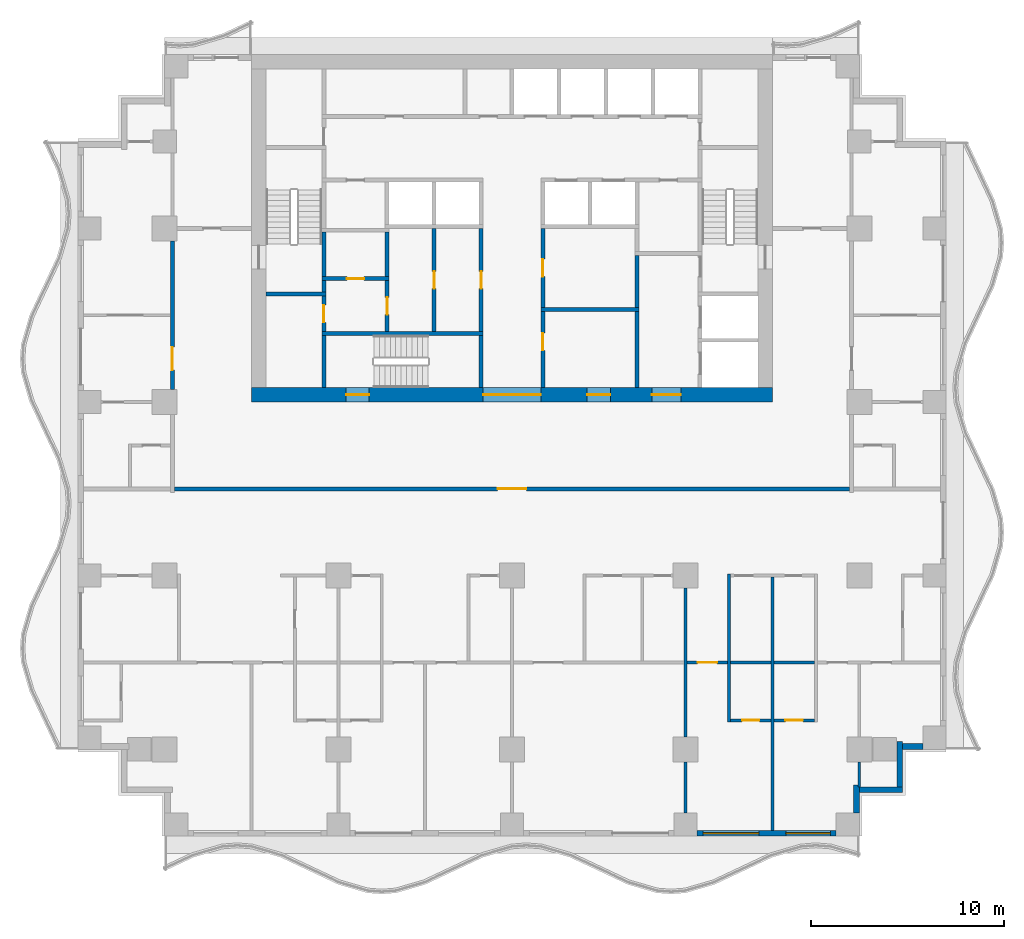
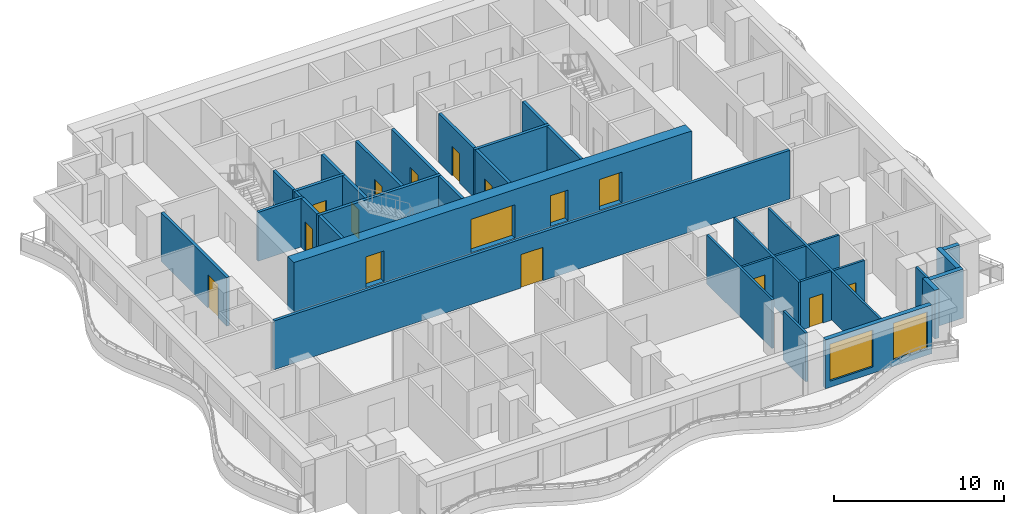
# One storey, part 3 of 10: 35 walls, 16 doors, 2 windows, 18 openings.
"""IFC4 building model written with IfcOpenShell, lengths in metres."""

from ifc_helpers import new_model, si_unit, direction, frame, frame_2d, origin, place, context, subcontext, project, spatial, rectangle, extrude, material, layer, layer_set, type_object, element, fill, save


model = new_model("IFC4")

# Units and contexts
model_context = context("Model", 3, precision=1e-05, world=origin(), true_north=direction((0.0, 1.0)))
body_context = subcontext(model_context, "Body", "Model", "MODEL_VIEW")
ifc_project = project(units=[si_unit("LENGTHUNIT", "METRE"), si_unit("AREAUNIT", "SQUARE_METRE"), si_unit("VOLUMEUNIT", "CUBIC_METRE"), si_unit("PLANEANGLEUNIT", "RADIAN"), si_unit("MASSUNIT", "GRAM", prefix="KILO")], contexts=[model_context])

# Site, building, storey
site_placement = place(None, origin())
site = spatial("IfcSite", under=ifc_project, at=site_placement, CompositionType="ELEMENT")
building_placement = place(site_placement, origin())
building = spatial("IfcBuilding", under=site, at=building_placement, Name="Orbiselva Terraces", CompositionType="ELEMENT")
storey_placement = place(building_placement, frame((0.0, 0.0, 128.8)))
storey = spatial("IfcBuildingStorey", under=building, at=storey_placement, Name="L32", CompositionType="ELEMENT", Elevation=128.8)

# Wall, openings, doors
ifc_material_1 = material(Name="Concrete C80/95", Category="concrete")
ifc_layer_1 = layer(ifc_material_1, 0.75)
ifc_layer_set_1 = layer_set([ifc_layer_1], Name="Concrete C80/95")
wall_type_1 = type_object("IfcWallType", Name="CORE WALL 750", PredefinedType="SHEAR", material=ifc_layer_set_1)
wall_1_placement = place(storey_placement, frame((-13.5, 4.875, -0.3), z_axis=(0.0, 0.0, 1.0), x_axis=(1.0, 0.0, 0.0)))
wall_1 = element("IfcWall", 1, at=wall_1_placement, inside=storey, type_object=wall_type_1, Name="Core wall L32 south", PredefinedType="SHEAR", context=body_context, shape_type="SweptSolid", body=[
    extrude(rectangle(XDim=27.0, YDim=0.75, at=frame_2d((13.5, 0.0))), origin(), (0.0, 0.0, 1.0), 3.8),
])
opening_1_placement = place(wall_1_placement, frame((12.0, 0.0, 0.3)))
opening_1 = element("IfcOpeningElement", 2, at=opening_1_placement, cuts=wall_1, Name="Opening DL3000", PredefinedType="OPENING", context=body_context, shape_type="SweptSolid", body=[
    extrude(rectangle(XDim=3.0, YDim=2.4, at=frame_2d((1.5, 1.2))), frame((0.0, 0.385, 0.0), z_axis=(0.0, -1.0, 0.0), x_axis=(1.0, 0.0, 0.0)), (0.0, 0.0, 1.0), 0.77),
])
opening_2_placement = place(wall_1_placement, frame((4.9, 0.0, 0.3)))
opening_2 = element("IfcOpeningElement", 3, at=opening_2_placement, cuts=wall_1, Name="Opening DS1200", PredefinedType="OPENING", context=body_context, shape_type="SweptSolid", body=[
    extrude(rectangle(XDim=1.2, YDim=2.2, at=frame_2d((0.6, 1.1))), frame((0.0, 0.385, 0.0), z_axis=(0.0, -1.0, 0.0), x_axis=(1.0, 0.0, 0.0)), (0.0, 0.0, 1.0), 0.77),
])
opening_3_placement = place(wall_1_placement, frame((20.75, 0.0, 0.3)))
opening_3 = element("IfcOpeningElement", 4, at=opening_3_placement, cuts=wall_1, Name="Opening DF1500", PredefinedType="OPENING", context=body_context, shape_type="SweptSolid", body=[
    extrude(rectangle(XDim=1.5, YDim=2.2, at=frame_2d((0.75, 1.1))), frame((0.0, 0.385, 0.0), z_axis=(0.0, -1.0, 0.0), x_axis=(1.0, 0.0, 0.0)), (0.0, 0.0, 1.0), 0.77),
])
opening_4_placement = place(wall_1_placement, frame((17.4, 0.0, 0.3)))
opening_4 = element("IfcOpeningElement", 5, at=opening_4_placement, cuts=wall_1, Name="Opening DV1200", PredefinedType="OPENING", context=body_context, shape_type="SweptSolid", body=[
    extrude(rectangle(XDim=1.2, YDim=2.2, at=frame_2d((0.6, 1.1))), frame((0.0, 0.385, 0.0), z_axis=(0.0, -1.0, 0.0), x_axis=(1.0, 0.0, 0.0)), (0.0, 0.0, 1.0), 0.77),
])
ifc_material_2 = material(Name="Steel fire door", Category="steel")
door_type_1 = type_object("IfcDoorType", Name="FFL DOOR 1500", OperationType="DOUBLE_DOOR_SINGLE_SWING", PredefinedType="DOOR", material=ifc_material_2)
door_1_placement = place(opening_3_placement, frame((1.5, 0.0, 0.0), z_axis=(0.0, 0.0, 1.0), x_axis=(-1.0, 0.0, 0.0)))
door_1 = element("IfcDoor", 6, at=door_1_placement, inside=storey, type_object=door_type_1, Name="L32 FIRE-FIGHTING LOBBY door", OperationType="DOUBLE_DOOR_SINGLE_SWING", OverallHeight=2.2, OverallWidth=1.5, PredefinedType="DOOR", context=body_context, shape_type="SweptSolid", body=[
    extrude(rectangle(XDim=1.5, YDim=2.2, at=frame_2d((0.75, 1.1))), frame((0.0, 0.025, 0.0), z_axis=(0.0, -1.0, 0.0), x_axis=(1.0, 0.0, 0.0)), (0.0, 0.0, 1.0), 0.05),
])
fill(opening_3, door_1)
door_type_2 = type_object("IfcDoorType", Name="LOBBY DOOR 3000", OperationType="DOUBLE_DOOR_SINGLE_SWING", PredefinedType="DOOR", material=ifc_material_2)
door_2_placement = place(opening_1_placement, frame((3.0, 0.0, 0.0), z_axis=(0.0, 0.0, 1.0), x_axis=(-1.0, 0.0, 0.0)))
door_2 = element("IfcDoor", 7, at=door_2_placement, inside=storey, type_object=door_type_2, Name="L32 LIFT LOBBY door", OperationType="DOUBLE_DOOR_SINGLE_SWING", OverallHeight=2.4, OverallWidth=3.0, PredefinedType="DOOR", context=body_context, shape_type="SweptSolid", body=[
    extrude(rectangle(XDim=3.0, YDim=2.4, at=frame_2d((1.5, 1.2))), frame((0.0, 0.025, 0.0), z_axis=(0.0, -1.0, 0.0), x_axis=(1.0, 0.0, 0.0)), (0.0, 0.0, 1.0), 0.05),
])
fill(opening_1, door_2)
door_type_3 = type_object("IfcDoorType", Name="SERVICE DOOR 1200", OperationType="NOTDEFINED", PredefinedType="DOOR", material=ifc_material_2)
door_3_placement = place(opening_4_placement, frame((1.2, 0.0, 0.0), z_axis=(0.0, 0.0, 1.0), x_axis=(-1.0, 0.0, 0.0)))
door_3 = element("IfcDoor", 8, at=door_3_placement, inside=storey, type_object=door_type_3, Name="L32 ELECTRICAL ROOM door", OperationType="SINGLE_SWING_RIGHT", OverallHeight=2.2, OverallWidth=1.2, PredefinedType="DOOR", context=body_context, shape_type="SweptSolid", body=[
    extrude(rectangle(XDim=1.2, YDim=2.2, at=frame_2d((0.6, 1.1))), frame((0.0, 0.025, 0.0), z_axis=(0.0, -1.0, 0.0), x_axis=(1.0, 0.0, 0.0)), (0.0, 0.0, 1.0), 0.05),
])
fill(opening_4, door_3)
door_type_4 = type_object("IfcDoorType", Name="STAIR DOOR 1200", OperationType="NOTDEFINED", PredefinedType="DOOR", material=ifc_material_2)
door_4_placement = place(opening_2_placement, frame((1.2, 0.0, 0.0), z_axis=(0.0, 0.0, 1.0), x_axis=(-1.0, 0.0, 0.0)))
door_4 = element("IfcDoor", 9, at=door_4_placement, inside=storey, type_object=door_type_4, Name="L32 EXIT STAIR S3 door", OperationType="SINGLE_SWING_LEFT", OverallHeight=2.2, OverallWidth=1.2, PredefinedType="DOOR", context=body_context, shape_type="SweptSolid", body=[
    extrude(rectangle(XDim=1.2, YDim=2.2, at=frame_2d((0.6, 1.1))), frame((0.0, 0.025, 0.0), z_axis=(0.0, -1.0, 0.0), x_axis=(1.0, 0.0, 0.0)), (0.0, 0.0, 1.0), 0.05),
])
fill(opening_2, door_4)

# Wall, opening, door
ifc_material_3 = material(Name="Masonry blockwork", Category="masonry")
ifc_layer_2 = layer(ifc_material_3, 0.2)
ifc_layer_set_2 = layer_set([ifc_layer_2], Name="Masonry blockwork")
wall_type_2 = type_object("IfcWallType", Name="CORE-WALL-PARTITION-200", PredefinedType="PARTITIONING", material=ifc_layer_set_2)
wall_2_placement = place(storey_placement, frame((-9.75, 8.15, 0.0), z_axis=(0.0, 0.0, 1.0), x_axis=(0.0, 1.0, 0.0)))
wall_2 = element("IfcWall", 10, at=wall_2_placement, inside=storey, type_object=wall_type_2, Name="L32 core wall 05", PredefinedType="PARTITIONING", context=body_context, shape_type="SweptSolid", body=[
    extrude(rectangle(XDim=1.85, YDim=0.2, at=frame_2d((0.925, 0.0))), origin(), (0.0, 0.0, 1.0), 3.5),
])
opening_5_placement = place(wall_2_placement, frame((0.475, 0.0, 0.0)))
opening_5 = element("IfcOpeningElement", 11, at=opening_5_placement, cuts=wall_2, Name="Opening DR900", PredefinedType="OPENING", context=body_context, shape_type="SweptSolid", body=[
    extrude(rectangle(XDim=0.9, YDim=2.1, at=frame_2d((0.45, 1.05))), frame((0.0, 0.11, 0.0), z_axis=(0.0, -1.0, 0.0), x_axis=(1.0, 0.0, 0.0)), (0.0, 0.0, 1.0), 0.22),
])
door_type_5 = type_object("IfcDoorType", Name="ROOM DOOR 900", OperationType="NOTDEFINED", PredefinedType="DOOR", material=ifc_material_2)
door_5_placement = place(opening_5_placement, origin())
door_5 = element("IfcDoor", 12, at=door_5_placement, inside=storey, type_object=door_type_5, Name="L32 STAFF WC door", OperationType="SINGLE_SWING_RIGHT", OverallHeight=2.1, OverallWidth=0.9, PredefinedType="DOOR", context=body_context, shape_type="SweptSolid", body=[
    extrude(rectangle(XDim=0.9, YDim=2.1, at=frame_2d((0.45, 1.05))), frame((0.0, 0.025, 0.0), z_axis=(0.0, -1.0, 0.0), x_axis=(1.0, 0.0, 0.0)), (0.0, 0.0, 1.0), 0.05),
])
fill(opening_5, door_5)

wall_3_placement = place(storey_placement, frame((-6.475, 8.15, 0.0), z_axis=(0.0, 0.0, 1.0), x_axis=(0.0, 1.0, 0.0)))
wall_3 = element("IfcWall", 13, at=wall_3_placement, inside=storey, type_object=wall_type_2, Name="L32 core wall 16", PredefinedType="PARTITIONING", context=body_context, shape_type="SweptSolid", body=[
    extrude(rectangle(XDim=2.65, YDim=0.2, at=frame_2d((1.325, 0.0))), origin(), (0.0, 0.0, 1.0), 3.5),
])
opening_6_placement = place(wall_3_placement, frame((0.875, 0.0, 0.0)))
opening_6 = element("IfcOpeningElement", 14, at=opening_6_placement, cuts=wall_3, Name="Opening DR900", PredefinedType="OPENING", context=body_context, shape_type="SweptSolid", body=[
    extrude(rectangle(XDim=0.9, YDim=2.1, at=frame_2d((0.45, 1.05))), frame((0.0, 0.11, 0.0), z_axis=(0.0, -1.0, 0.0), x_axis=(1.0, 0.0, 0.0)), (0.0, 0.0, 1.0), 0.22),
])
door_6_placement = place(opening_6_placement, origin())
door_6 = element("IfcDoor", 15, at=door_6_placement, inside=storey, type_object=door_type_5, Name="L32 UNIFORM STORE door", OperationType="SINGLE_SWING_LEFT", OverallHeight=2.1, OverallWidth=0.9, PredefinedType="DOOR", context=body_context, shape_type="SweptSolid", body=[
    extrude(rectangle(XDim=0.9, YDim=2.1, at=frame_2d((0.45, 1.05))), frame((0.0, 0.025, 0.0), z_axis=(0.0, -1.0, 0.0), x_axis=(1.0, 0.0, 0.0)), (0.0, 0.0, 1.0), 0.05),
])
fill(opening_6, door_6)

# Wall
wall_4_placement = place(storey_placement, frame((-6.475, 11.0, 0.0), z_axis=(0.0, 0.0, 1.0), x_axis=(0.0, 1.0, 0.0)))
element("IfcWall", 16, at=wall_4_placement, inside=storey, type_object=wall_type_2, Name="L32 core wall 17", PredefinedType="PARTITIONING", context=body_context, shape_type="SweptSolid", body=[
    extrude(rectangle(XDim=2.3, YDim=0.2, at=frame_2d((1.15, 0.0))), origin(), (0.0, 0.0, 1.0), 3.5),
])

# Wall, opening, door
wall_5_placement = place(storey_placement, frame((-4.0375, 8.15, 0.0), z_axis=(0.0, 0.0, 1.0), x_axis=(0.0, 1.0, 0.0)))
wall_5 = element("IfcWall", 17, at=wall_5_placement, inside=storey, type_object=wall_type_2, Name="L32 core wall 20", PredefinedType="PARTITIONING", context=body_context, shape_type="SweptSolid", body=[
    extrude(rectangle(XDim=5.35, YDim=0.2, at=frame_2d((2.675, 0.0))), origin(), (0.0, 0.0, 1.0), 3.5),
])
opening_7_placement = place(wall_5_placement, frame((2.225, 0.0, 0.0)))
opening_7 = element("IfcOpeningElement", 18, at=opening_7_placement, cuts=wall_5, Name="Opening DR900", PredefinedType="OPENING", context=body_context, shape_type="SweptSolid", body=[
    extrude(rectangle(XDim=0.9, YDim=2.1, at=frame_2d((0.45, 1.05))), frame((0.0, 0.11, 0.0), z_axis=(0.0, -1.0, 0.0), x_axis=(1.0, 0.0, 0.0)), (0.0, 0.0, 1.0), 0.22),
])
door_7_placement = place(opening_7_placement, origin())
door_7 = element("IfcDoor", 19, at=door_7_placement, inside=storey, type_object=door_type_5, Name="L32 BUILDING STORE door", OperationType="SINGLE_SWING_RIGHT", OverallHeight=2.1, OverallWidth=0.9, PredefinedType="DOOR", context=body_context, shape_type="SweptSolid", body=[
    extrude(rectangle(XDim=0.9, YDim=2.1, at=frame_2d((0.45, 1.05))), frame((0.0, 0.025, 0.0), z_axis=(0.0, -1.0, 0.0), x_axis=(1.0, 0.0, 0.0)), (0.0, 0.0, 1.0), 0.05),
])
fill(opening_7, door_7)

# Walls
ifc_material_4 = material(Name="Concrete C60/75", Category="concrete")
ifc_layer_3 = layer(ifc_material_4, 0.2)
ifc_layer_set_3 = layer_set([ifc_layer_3], Name="Concrete C60/75")
wall_type_3 = type_object("IfcWallType", Name="CORE-WALL-SHEAR-200", PredefinedType="SHEAR", material=ifc_layer_set_3)
wall_6_placement = place(storey_placement, frame((-12.75, 10.1, 0.0), z_axis=(0.0, 0.0, 1.0), x_axis=(1.0, 0.0, 0.0)))
element("IfcWall", 20, at=wall_6_placement, inside=storey, type_object=wall_type_3, Name="L32 core wall 01", PredefinedType="SHEAR", context=body_context, shape_type="SweptSolid", body=[
    extrude(rectangle(XDim=3.1, YDim=0.2, at=frame_2d((1.55, 0.0))), origin(), (0.0, 0.0, 1.0), 3.5),
])
wall_7_placement = place(storey_placement, frame((-9.75, 5.25, 0.0), z_axis=(0.0, 0.0, 1.0), x_axis=(0.0, 1.0, 0.0)))
element("IfcWall", 21, at=wall_7_placement, inside=storey, type_object=wall_type_3, Name="L32 core wall 03", PredefinedType="SHEAR", context=body_context, shape_type="SweptSolid", body=[
    extrude(rectangle(XDim=2.7, YDim=0.2, at=frame_2d((1.35, 0.0))), origin(), (0.0, 0.0, 1.0), 3.5),
])
wall_8_placement = place(storey_placement, frame((-9.85, 8.05, 0.0), z_axis=(0.0, 0.0, 1.0), x_axis=(1.0, 0.0, 0.0)))
element("IfcWall", 22, at=wall_8_placement, inside=storey, type_object=wall_type_3, Name="L32 core wall 04", PredefinedType="SHEAR", context=body_context, shape_type="SweptSolid", body=[
    extrude(rectangle(XDim=8.35, YDim=0.2, at=frame_2d((4.175, 0.0))), origin(), (0.0, 0.0, 1.0), 3.5),
])
wall_9_placement = place(storey_placement, frame((-9.75, 10.2, 0.0), z_axis=(0.0, 0.0, 1.0), x_axis=(0.0, 1.0, 0.0)))
element("IfcWall", 23, at=wall_9_placement, inside=storey, type_object=wall_type_3, Name="L32 core wall 06", PredefinedType="SHEAR", context=body_context, shape_type="SweptSolid", body=[
    extrude(rectangle(XDim=0.6, YDim=0.2, at=frame_2d((0.3, 0.0))), origin(), (0.0, 0.0, 1.0), 3.5),
])

# Wall, opening, door
wall_10_placement = place(storey_placement, frame((-9.85, 10.9, 0.0), z_axis=(0.0, 0.0, 1.0), x_axis=(1.0, 0.0, 0.0)))
wall_10 = element("IfcWall", 24, at=wall_10_placement, inside=storey, type_object=wall_type_3, Name="L32 core wall 07", PredefinedType="SHEAR", context=body_context, shape_type="SweptSolid", body=[
    extrude(rectangle(XDim=3.475, YDim=0.2, at=frame_2d((1.7375, 0.0))), origin(), (0.0, 0.0, 1.0), 3.5),
])
opening_8_placement = place(wall_10_placement, frame((1.2875, 0.0, 0.0)))
opening_8 = element("IfcOpeningElement", 25, at=opening_8_placement, cuts=wall_10, Name="Opening DR900", PredefinedType="OPENING", context=body_context, shape_type="SweptSolid", body=[
    extrude(rectangle(XDim=0.9, YDim=2.1, at=frame_2d((0.45, 1.05))), frame((0.0, 0.11, 0.0), z_axis=(0.0, -1.0, 0.0), x_axis=(1.0, 0.0, 0.0)), (0.0, 0.0, 1.0), 0.22),
])
door_8_placement = place(opening_8_placement, origin())
door_8 = element("IfcDoor", 26, at=door_8_placement, inside=storey, type_object=door_type_5, Name="L32 LAUNDRY ROOM door", OperationType="SINGLE_SWING_RIGHT", OverallHeight=2.1, OverallWidth=0.9, PredefinedType="DOOR", context=body_context, shape_type="SweptSolid", body=[
    extrude(rectangle(XDim=0.9, YDim=2.1, at=frame_2d((0.45, 1.05))), frame((0.0, 0.025, 0.0), z_axis=(0.0, -1.0, 0.0), x_axis=(1.0, 0.0, 0.0)), (0.0, 0.0, 1.0), 0.05),
])
fill(opening_8, door_8)

# Walls
wall_11_placement = place(storey_placement, frame((-9.75, 11.0, 0.0), z_axis=(0.0, 0.0, 1.0), x_axis=(0.0, 1.0, 0.0)))
element("IfcWall", 27, at=wall_11_placement, inside=storey, type_object=wall_type_3, Name="L32 core wall 08", PredefinedType="SHEAR", context=body_context, shape_type="SweptSolid", body=[
    extrude(rectangle(XDim=2.3, YDim=0.2, at=frame_2d((1.15, 0.0))), origin(), (0.0, 0.0, 1.0), 3.5),
])
wall_12_placement = place(storey_placement, frame((-1.6, 5.25, 0.0), z_axis=(0.0, 0.0, 1.0), x_axis=(0.0, 1.0, 0.0)))
element("IfcWall", 28, at=wall_12_placement, inside=storey, type_object=wall_type_3, Name="L32 core wall 23", PredefinedType="SHEAR", context=body_context, shape_type="SweptSolid", body=[
    extrude(rectangle(XDim=2.7, YDim=0.2, at=frame_2d((1.35, 0.0))), origin(), (0.0, 0.0, 1.0), 3.5),
])

# Wall, opening, door
wall_13_placement = place(storey_placement, frame((-1.6, 8.15, 0.0), z_axis=(0.0, 0.0, 1.0), x_axis=(0.0, 1.0, 0.0)))
wall_13 = element("IfcWall", 29, at=wall_13_placement, inside=storey, type_object=wall_type_3, Name="L32 core wall 24", PredefinedType="SHEAR", context=body_context, shape_type="SweptSolid", body=[
    extrude(rectangle(XDim=5.35, YDim=0.2, at=frame_2d((2.675, 0.0))), origin(), (0.0, 0.0, 1.0), 3.5),
])
opening_9_placement = place(wall_13_placement, frame((2.225, 0.0, 0.0)))
opening_9 = element("IfcOpeningElement", 30, at=opening_9_placement, cuts=wall_13, Name="Opening DR900", PredefinedType="OPENING", context=body_context, shape_type="SweptSolid", body=[
    extrude(rectangle(XDim=0.9, YDim=2.1, at=frame_2d((0.45, 1.05))), frame((0.0, 0.11, 0.0), z_axis=(0.0, -1.0, 0.0), x_axis=(1.0, 0.0, 0.0)), (0.0, 0.0, 1.0), 0.22),
])
door_9_placement = place(opening_9_placement, origin())
door_9 = element("IfcDoor", 31, at=door_9_placement, inside=storey, type_object=door_type_5, Name="L32 GUEST PANTRY door", OperationType="SINGLE_SWING_RIGHT", OverallHeight=2.1, OverallWidth=0.9, PredefinedType="DOOR", context=body_context, shape_type="SweptSolid", body=[
    extrude(rectangle(XDim=0.9, YDim=2.1, at=frame_2d((0.45, 1.05))), frame((0.0, 0.025, 0.0), z_axis=(0.0, -1.0, 0.0), x_axis=(1.0, 0.0, 0.0)), (0.0, 0.0, 1.0), 0.05),
])
fill(opening_9, door_9)

wall_14_placement = place(storey_placement, frame((1.6, 9.2, 0.0), z_axis=(0.0, 0.0, 1.0), x_axis=(0.0, -1.0, 0.0)))
wall_14 = element("IfcWall", 32, at=wall_14_placement, inside=storey, type_object=wall_type_3, Name="L32 core wall 27", PredefinedType="SHEAR", context=body_context, shape_type="SweptSolid", body=[
    extrude(rectangle(XDim=3.95, YDim=0.2, at=frame_2d((1.975, 0.0))), origin(), (0.0, 0.0, 1.0), 3.5),
])
opening_10_placement = place(wall_14_placement, frame((1.125, 0.0, 0.0)))
opening_10 = element("IfcOpeningElement", 33, at=opening_10_placement, cuts=wall_14, Name="Opening DR900", PredefinedType="OPENING", context=body_context, shape_type="SweptSolid", body=[
    extrude(rectangle(XDim=0.9, YDim=2.1, at=frame_2d((0.45, 1.05))), frame((0.0, 0.11, 0.0), z_axis=(0.0, -1.0, 0.0), x_axis=(1.0, 0.0, 0.0)), (0.0, 0.0, 1.0), 0.22),
])
door_10_placement = place(opening_10_placement, origin())
door_10 = element("IfcDoor", 34, at=door_10_placement, inside=storey, type_object=door_type_5, Name="L32 ELECTRICAL ROOM door", OperationType="SINGLE_SWING_LEFT", OverallHeight=2.1, OverallWidth=0.9, PredefinedType="DOOR", context=body_context, shape_type="SweptSolid", body=[
    extrude(rectangle(XDim=0.9, YDim=2.1, at=frame_2d((0.45, 1.05))), frame((0.0, 0.025, 0.0), z_axis=(0.0, -1.0, 0.0), x_axis=(1.0, 0.0, 0.0)), (0.0, 0.0, 1.0), 0.05),
])
fill(opening_10, door_10)

# Wall
wall_15_placement = place(storey_placement, frame((1.5, 9.3, 0.0), z_axis=(0.0, 0.0, 1.0), x_axis=(1.0, 0.0, 0.0)))
element("IfcWall", 35, at=wall_15_placement, inside=storey, type_object=wall_type_3, Name="L32 core wall 28", PredefinedType="SHEAR", context=body_context, shape_type="SweptSolid", body=[
    extrude(rectangle(XDim=5.075, YDim=0.2, at=frame_2d((2.5375, 0.0))), origin(), (0.0, 0.0, 1.0), 3.5),
])

# Wall, opening, door
wall_16_placement = place(storey_placement, frame((1.6, 13.5, 0.0), z_axis=(0.0, 0.0, 1.0), x_axis=(0.0, -1.0, 0.0)))
wall_16 = element("IfcWall", 36, at=wall_16_placement, inside=storey, type_object=wall_type_3, Name="L32 core wall 29", PredefinedType="SHEAR", context=body_context, shape_type="SweptSolid", body=[
    extrude(rectangle(XDim=4.1, YDim=0.2, at=frame_2d((2.05, 0.0))), origin(), (0.0, 0.0, 1.0), 3.5),
])
opening_11_placement = place(wall_16_placement, frame((1.6, 0.0, 0.0)))
opening_11 = element("IfcOpeningElement", 37, at=opening_11_placement, cuts=wall_16, Name="Opening DR900", PredefinedType="OPENING", context=body_context, shape_type="SweptSolid", body=[
    extrude(rectangle(XDim=0.9, YDim=2.1, at=frame_2d((0.45, 1.05))), frame((0.0, 0.11, 0.0), z_axis=(0.0, -1.0, 0.0), x_axis=(1.0, 0.0, 0.0)), (0.0, 0.0, 1.0), 0.22),
])
door_11_placement = place(opening_11_placement, origin())
door_11 = element("IfcDoor", 38, at=door_11_placement, inside=storey, type_object=door_type_5, Name="L32 COMMS ROOM door", OperationType="SINGLE_SWING_RIGHT", OverallHeight=2.1, OverallWidth=0.9, PredefinedType="DOOR", context=body_context, shape_type="SweptSolid", body=[
    extrude(rectangle(XDim=0.9, YDim=2.1, at=frame_2d((0.45, 1.05))), frame((0.0, 0.025, 0.0), z_axis=(0.0, -1.0, 0.0), x_axis=(1.0, 0.0, 0.0)), (0.0, 0.0, 1.0), 0.05),
])
fill(opening_11, door_11)

# Walls
wall_17_placement = place(storey_placement, frame((6.475, 5.25, 0.0), z_axis=(0.0, 0.0, 1.0), x_axis=(0.0, 1.0, 0.0)))
element("IfcWall", 39, at=wall_17_placement, inside=storey, type_object=wall_type_3, Name="L32 core wall 36", PredefinedType="SHEAR", context=body_context, shape_type="SweptSolid", body=[
    extrude(rectangle(XDim=3.95, YDim=0.2, at=frame_2d((1.975, 0.0))), origin(), (0.0, 0.0, 1.0), 3.5),
])
wall_18_placement = place(storey_placement, frame((6.475, 9.4, 0.0), z_axis=(0.0, 0.0, 1.0), x_axis=(0.0, 1.0, 0.0)))
element("IfcWall", 40, at=wall_18_placement, inside=storey, type_object=wall_type_3, Name="L32 core wall 37", PredefinedType="SHEAR", context=body_context, shape_type="SweptSolid", body=[
    extrude(rectangle(XDim=2.7, YDim=0.2, at=frame_2d((1.35, 0.0))), origin(), (0.0, 0.0, 1.0), 3.5),
])

# Wall, openings, windows
ifc_material_5 = material(Name="Terracotta cladding on masonry backing", Category="masonry")
ifc_layer_4 = layer(ifc_material_5, 0.3)
ifc_layer_set_4 = layer_set([ifc_layer_4], Name="Terracotta cladding on masonry backing")
wall_type_4 = type_object("IfcWallType", Name="ENV-WALL-TERRACOTTA-300", PredefinedType="SOLIDWALL", material=ifc_layer_set_4)
wall_19_placement = place(storey_placement, frame((16.8, -17.85, 0.0), z_axis=(0.0, 0.0, 1.0), x_axis=(-1.0, 0.0, 0.0)))
wall_19 = element("IfcWall", 41, at=wall_19_placement, inside=storey, type_object=wall_type_4, Name="Facade wall L32 S", PredefinedType="SOLIDWALL", context=body_context, shape_type="SweptSolid", body=[
    extrude(rectangle(XDim=7.2, YDim=0.3, at=frame_2d((3.6, 0.0))), origin(), (0.0, 0.0, 1.0), 3.5),
])
opening_12_placement = place(wall_19_placement, frame((4.0, 0.0, 0.45)))
opening_12 = element("IfcOpeningElement", 42, at=opening_12_placement, cuts=wall_19, Name="Opening WN8", PredefinedType="OPENING", context=body_context, shape_type="SweptSolid", body=[
    extrude(rectangle(XDim=2.9, YDim=2.65, at=frame_2d((1.45, 1.325))), frame((0.0, 0.16, 0.0), z_axis=(0.0, -1.0, 0.0), x_axis=(1.0, 0.0, 0.0)), (0.0, 0.0, 1.0), 0.32),
])
opening_13_placement = place(wall_19_placement, frame((0.3, 0.0, 0.45)))
opening_13 = element("IfcOpeningElement", 43, at=opening_13_placement, cuts=wall_19, Name="Opening WN7", PredefinedType="OPENING", context=body_context, shape_type="SweptSolid", body=[
    extrude(rectangle(XDim=2.3, YDim=2.65, at=frame_2d((1.15, 1.325))), frame((0.0, 0.16, 0.0), z_axis=(0.0, -1.0, 0.0), x_axis=(1.0, 0.0, 0.0)), (0.0, 0.0, 1.0), 0.32),
])
ifc_material_6 = material(Name="Clear low-e glazing in aluminium frame", Category="aluminium")
window_type_1 = type_object("IfcWindowType", Name="WINDOW 2300 X 2650 S450", PartitioningType="TRIPLE_PANEL_VERTICAL", PredefinedType="WINDOW", material=ifc_material_6)
window_1_placement = place(opening_13_placement, origin())
window_1 = element("IfcWindow", 44, at=window_1_placement, inside=storey, type_object=window_type_1, Name="Window L32 S", OverallHeight=2.65, OverallWidth=2.3, PartitioningType="SINGLE_PANEL", PredefinedType="WINDOW", context=body_context, shape_type="SweptSolid", body=[
    extrude(rectangle(XDim=2.3, YDim=2.65, at=frame_2d((1.15, 1.325))), frame((0.0, 0.03, 0.0), z_axis=(0.0, -1.0, 0.0), x_axis=(1.0, 0.0, 0.0)), (0.0, 0.0, 1.0), 0.06),
])
fill(opening_13, window_1)
window_type_2 = type_object("IfcWindowType", Name="WINDOW 2900 X 2650 S450", PartitioningType="TRIPLE_PANEL_VERTICAL", PredefinedType="WINDOW", material=ifc_material_6)
window_2_placement = place(opening_12_placement, origin())
window_2 = element("IfcWindow", 45, at=window_2_placement, inside=storey, type_object=window_type_2, Name="Window L32 S", OverallHeight=2.65, OverallWidth=2.9, PartitioningType="SINGLE_PANEL", PredefinedType="WINDOW", context=body_context, shape_type="SweptSolid", body=[
    extrude(rectangle(XDim=2.9, YDim=2.65, at=frame_2d((1.45, 1.325))), frame((0.0, 0.03, 0.0), z_axis=(0.0, -1.0, 0.0), x_axis=(1.0, 0.0, 0.0)), (0.0, 0.0, 1.0), 0.06),
])
fill(opening_12, window_2)

# Walls
wall_20_placement = place(storey_placement, frame((17.85, -15.35, 0.0), z_axis=(0.0, 0.0, 1.0), x_axis=(0.0, -1.0, 0.0)))
element("IfcWall", 46, at=wall_20_placement, inside=storey, type_object=wall_type_4, Name="Facade wall L32 STEP", PredefinedType="SOLIDWALL", context=body_context, shape_type="SweptSolid", body=[
    extrude(rectangle(XDim=1.45, YDim=0.3, at=frame_2d((0.725, 0.0))), origin(), (0.0, 0.0, 1.0), 3.5),
])
wall_21_placement = place(storey_placement, frame((20.25, -15.6, 0.0), z_axis=(0.0, 0.0, 1.0), x_axis=(-1.0, 0.0, 0.0)))
element("IfcWall", 47, at=wall_21_placement, inside=storey, type_object=wall_type_4, Name="Facade wall L32 STEP", PredefinedType="SOLIDWALL", context=body_context, shape_type="SweptSolid", body=[
    extrude(rectangle(XDim=2.25, YDim=0.3, at=frame_2d((1.125, 0.0))), origin(), (0.0, 0.0, 1.0), 3.5),
])
wall_22_placement = place(storey_placement, frame((20.1, -13.1, 0.0), z_axis=(0.0, 0.0, 1.0), x_axis=(0.0, -1.0, 0.0)))
element("IfcWall", 48, at=wall_22_placement, inside=storey, type_object=wall_type_4, Name="Facade wall L32 STEP", PredefinedType="SOLIDWALL", context=body_context, shape_type="SweptSolid", body=[
    extrude(rectangle(XDim=2.35, YDim=0.3, at=frame_2d((1.175, 0.0))), origin(), (0.0, 0.0, 1.0), 3.5),
])
wall_23_placement = place(storey_placement, frame((21.3, -13.35, 0.0), z_axis=(0.0, 0.0, 1.0), x_axis=(-1.0, 0.0, 0.0)))
element("IfcWall", 49, at=wall_23_placement, inside=storey, type_object=wall_type_4, Name="Facade wall L32 STEP", PredefinedType="SOLIDWALL", context=body_context, shape_type="SweptSolid", body=[
    extrude(rectangle(XDim=1.05, YDim=0.3, at=frame_2d((0.525, 0.0))), origin(), (0.0, 0.0, 1.0), 3.5),
])

# Wall, opening, door
ifc_material_7 = material(Name="Plasterboard on steel stud partition", Category="steel")
ifc_layer_5 = layer(ifc_material_7, 0.2)
ifc_layer_set_5 = layer_set([ifc_layer_5], Name="Plasterboard on steel stud partition")
wall_type_5 = type_object("IfcWallType", Name="UNIT-ENTRANCE-WALL-200", PredefinedType="PARTITIONING", material=ifc_layer_set_5)
wall_24_placement = place(storey_placement, frame((17.5, 0.0, 0.0), z_axis=(0.0, 0.0, 1.0), x_axis=(-1.0, 0.0, 0.0)))
wall_24 = element("IfcWall", 50, at=wall_24_placement, inside=storey, type_object=wall_type_5, Name="PARTITION L32-022", PredefinedType="PARTITIONING", context=body_context, shape_type="SweptSolid", body=[
    extrude(rectangle(XDim=35.0, YDim=0.2, at=frame_2d((17.5, 0.0))), origin(), (0.0, 0.0, 1.0), 3.5),
])
opening_14_placement = place(wall_24_placement, frame((16.75, 0.0, 0.0)))
opening_14 = element("IfcOpeningElement", 51, at=opening_14_placement, cuts=wall_24, Name="Opening Z3-A-13", PredefinedType="OPENING", context=body_context, shape_type="SweptSolid", body=[
    extrude(rectangle(XDim=1.5, YDim=2.4, at=frame_2d((0.75, 1.2))), frame((0.0, 0.11, 0.0), z_axis=(0.0, -1.0, 0.0), x_axis=(1.0, 0.0, 0.0)), (0.0, 0.0, 1.0), 0.22),
])
ifc_material_8 = material(Name="Painted timber door leaf", Category="wood")
door_type_6 = type_object("IfcDoorType", Name="ENTRANCE DOUBLE DOOR 1500", OperationType="NOTDEFINED", PredefinedType="DOOR", material=ifc_material_8)
door_12_placement = place(opening_14_placement, origin())
door_12 = element("IfcDoor", 52, at=door_12_placement, inside=storey, type_object=door_type_6, Name="Z3-A-13", OperationType="DOUBLE_DOOR_SINGLE_SWING", OverallHeight=2.4, OverallWidth=1.5, PredefinedType="DOOR", context=body_context, shape_type="SweptSolid", body=[
    extrude(rectangle(XDim=1.5, YDim=2.4, at=frame_2d((0.75, 1.2))), frame((0.0, 0.025, 0.0), z_axis=(0.0, -1.0, 0.0), x_axis=(1.0, 0.0, 0.0)), (0.0, 0.0, 1.0), 0.05),
])
fill(opening_14, door_12)

wall_25_placement = place(storey_placement, frame((-17.6, 5.15, 0.0), z_axis=(0.0, 0.0, 1.0), x_axis=(0.0, 1.0, 0.0)))
wall_25 = element("IfcWall", 53, at=wall_25_placement, inside=storey, type_object=wall_type_5, Name="PARTITION L32-038", PredefinedType="PARTITIONING", context=body_context, shape_type="SweptSolid", body=[
    extrude(rectangle(XDim=7.7, YDim=0.2, at=frame_2d((3.85, 0.0))), origin(), (0.0, 0.0, 1.0), 3.5),
])
opening_15_placement = place(wall_25_placement, frame((1.0, 0.0, 0.0)))
opening_15 = element("IfcOpeningElement", 54, at=opening_15_placement, cuts=wall_25, Name="Opening Z3-A-05", PredefinedType="OPENING", context=body_context, shape_type="SweptSolid", body=[
    extrude(rectangle(XDim=1.2, YDim=2.4, at=frame_2d((0.6, 1.2))), frame((0.0, 0.11, 0.0), z_axis=(0.0, -1.0, 0.0), x_axis=(1.0, 0.0, 0.0)), (0.0, 0.0, 1.0), 0.22),
])
door_type_7 = type_object("IfcDoorType", Name="ENTRANCE DOOR 1200", OperationType="NOTDEFINED", PredefinedType="DOOR", material=ifc_material_8)
door_13_placement = place(opening_15_placement, origin())
door_13 = element("IfcDoor", 55, at=door_13_placement, inside=storey, type_object=door_type_7, Name="Z3-A-05", OperationType="SINGLE_SWING_LEFT", OverallHeight=2.4, OverallWidth=1.2, PredefinedType="DOOR", context=body_context, shape_type="SweptSolid", body=[
    extrude(rectangle(XDim=1.2, YDim=2.4, at=frame_2d((0.6, 1.2))), frame((0.0, 0.025, 0.0), z_axis=(0.0, -1.0, 0.0), x_axis=(1.0, 0.0, 0.0)), (0.0, 0.0, 1.0), 0.05),
])
fill(opening_15, door_13)

ifc_layer_6 = layer(ifc_material_7, 0.15)
ifc_layer_set_6 = layer_set([ifc_layer_6], Name="Plasterboard on steel stud partition")
wall_type_6 = type_object("IfcWallType", Name="UNIT-PARTITION-150", PredefinedType="PARTITIONING", material=ifc_layer_set_6)
wall_26_placement = place(storey_placement, frame((11.325, -12.0, 0.0), z_axis=(0.0, 0.0, 1.0), x_axis=(1.0, 0.0, 0.0)))
wall_26 = element("IfcWall", 56, at=wall_26_placement, inside=storey, type_object=wall_type_6, Name="PARTITION L32-004", PredefinedType="PARTITIONING", context=body_context, shape_type="SweptSolid", body=[
    extrude(rectangle(XDim=2.1, YDim=0.15, at=frame_2d((1.05, 0.0))), origin(), (0.0, 0.0, 1.0), 3.5),
])
opening_16_placement = place(wall_26_placement, frame((0.6, 0.0, 0.0)))
opening_16 = element("IfcOpeningElement", 57, at=opening_16_placement, cuts=wall_26, Name="Opening Z3-A-32", PredefinedType="OPENING", context=body_context, shape_type="SweptSolid", body=[
    extrude(rectangle(XDim=0.9, YDim=2.1, at=frame_2d((0.45, 1.05))), frame((0.0, 0.085, 0.0), z_axis=(0.0, -1.0, 0.0), x_axis=(1.0, 0.0, 0.0)), (0.0, 0.0, 1.0), 0.17),
])
door_type_8 = type_object("IfcDoorType", Name="BATH DOOR 900", OperationType="NOTDEFINED", PredefinedType="DOOR", material=ifc_material_8)
door_14_placement = place(opening_16_placement, origin())
door_14 = element("IfcDoor", 58, at=door_14_placement, inside=storey, type_object=door_type_8, Name="Z3-A-32", OperationType="SINGLE_SWING_LEFT", OverallHeight=2.1, OverallWidth=0.9, PredefinedType="DOOR", context=body_context, shape_type="SweptSolid", body=[
    extrude(rectangle(XDim=0.9, YDim=2.1, at=frame_2d((0.45, 1.05))), frame((0.0, 0.025, 0.0), z_axis=(0.0, -1.0, 0.0), x_axis=(1.0, 0.0, 0.0)), (0.0, 0.0, 1.0), 0.05),
])
fill(opening_16, door_14)

wall_27_placement = place(storey_placement, frame((13.575, -12.0, 0.0), z_axis=(0.0, 0.0, 1.0), x_axis=(1.0, 0.0, 0.0)))
wall_27 = element("IfcWall", 59, at=wall_27_placement, inside=storey, type_object=wall_type_6, Name="PARTITION L32-005", PredefinedType="PARTITIONING", context=body_context, shape_type="SweptSolid", body=[
    extrude(rectangle(XDim=2.1, YDim=0.15, at=frame_2d((1.05, 0.0))), origin(), (0.0, 0.0, 1.0), 3.5),
])
opening_17_placement = place(wall_27_placement, frame((0.6, 0.0, 0.0)))
opening_17 = element("IfcOpeningElement", 60, at=opening_17_placement, cuts=wall_27, Name="Opening Z3-A-34", PredefinedType="OPENING", context=body_context, shape_type="SweptSolid", body=[
    extrude(rectangle(XDim=0.9, YDim=2.1, at=frame_2d((0.45, 1.05))), frame((0.0, 0.085, 0.0), z_axis=(0.0, -1.0, 0.0), x_axis=(1.0, 0.0, 0.0)), (0.0, 0.0, 1.0), 0.17),
])
door_15_placement = place(opening_17_placement, origin())
door_15 = element("IfcDoor", 61, at=door_15_placement, inside=storey, type_object=door_type_8, Name="Z3-A-34", OperationType="SINGLE_SWING_LEFT", OverallHeight=2.1, OverallWidth=0.9, PredefinedType="DOOR", context=body_context, shape_type="SweptSolid", body=[
    extrude(rectangle(XDim=0.9, YDim=2.1, at=frame_2d((0.45, 1.05))), frame((0.0, 0.025, 0.0), z_axis=(0.0, -1.0, 0.0), x_axis=(1.0, 0.0, 0.0)), (0.0, 0.0, 1.0), 0.05),
])
fill(opening_17, door_15)

wall_28_placement = place(storey_placement, frame((11.175, -9.0, 0.0), z_axis=(0.0, 0.0, 1.0), x_axis=(-1.0, 0.0, 0.0)))
wall_28 = element("IfcWall", 62, at=wall_28_placement, inside=storey, type_object=wall_type_6, Name="PARTITION L32-011", PredefinedType="PARTITIONING", context=body_context, shape_type="SweptSolid", body=[
    extrude(rectangle(XDim=2.1, YDim=0.15, at=frame_2d((1.05, 0.0))), origin(), (0.0, 0.0, 1.0), 3.5),
])
opening_18_placement = place(wall_28_placement, frame((0.55, 0.0, 0.0)))
opening_18 = element("IfcOpeningElement", 63, at=opening_18_placement, cuts=wall_28, Name="Opening Z3-A-31", PredefinedType="OPENING", context=body_context, shape_type="SweptSolid", body=[
    extrude(rectangle(XDim=1.0, YDim=2.4, at=frame_2d((0.5, 1.2))), frame((0.0, 0.085, 0.0), z_axis=(0.0, -1.0, 0.0), x_axis=(1.0, 0.0, 0.0)), (0.0, 0.0, 1.0), 0.17),
])
door_type_9 = type_object("IfcDoorType", Name="ROOM DOOR 1000", OperationType="NOTDEFINED", PredefinedType="DOOR", material=ifc_material_8)
door_16_placement = place(opening_18_placement, origin())
door_16 = element("IfcDoor", 64, at=door_16_placement, inside=storey, type_object=door_type_9, Name="Z3-A-31", OperationType="SINGLE_SWING_RIGHT", OverallHeight=2.4, OverallWidth=1.0, PredefinedType="DOOR", context=body_context, shape_type="SweptSolid", body=[
    extrude(rectangle(XDim=1.0, YDim=2.4, at=frame_2d((0.5, 1.2))), frame((0.0, 0.025, 0.0), z_axis=(0.0, -1.0, 0.0), x_axis=(1.0, 0.0, 0.0)), (0.0, 0.0, 1.0), 0.05),
])
fill(opening_18, door_16)

# Walls
for number, where, z_axis, x_axis, name in (
    (65, (11.325, -9.0, 0.0), (0.0, 0.0, 1.0), (1.0, 0.0, 0.0), "PARTITION L32-012"),
    (66, (13.575, -9.0, 0.0), (0.0, 0.0, 1.0), (1.0, 0.0, 0.0), "PARTITION L32-013"),
):
    element("IfcWall", number, at=place(storey_placement, frame(where, z_axis=z_axis, x_axis=x_axis)), inside=storey, type_object=wall_type_6, Name=name, PredefinedType="PARTITIONING", context=body_context, shape_type="SweptSolid", body=[
        extrude(rectangle(XDim=2.1, YDim=0.15, at=frame_2d((1.05, 0.0))), origin(), (0.0, 0.0, 1.0), 3.5),
    ])
wall_29_placement = place(storey_placement, frame((9.0, -16.8, 0.0), z_axis=(0.0, 0.0, 1.0), x_axis=(0.0, 1.0, 0.0)))
element("IfcWall", 67, at=wall_29_placement, inside=storey, type_object=wall_type_6, Name="PARTITION L32-053", PredefinedType="PARTITIONING", context=body_context, shape_type="SweptSolid", body=[
    extrude(rectangle(XDim=2.65, YDim=0.15, at=frame_2d((1.325, 0.0))), origin(), (0.0, 0.0, 1.0), 3.5),
])
wall_30_placement = place(storey_placement, frame((9.0, -12.85, 0.0), z_axis=(0.0, 0.0, 1.0), x_axis=(0.0, 1.0, 0.0)))
element("IfcWall", 68, at=wall_30_placement, inside=storey, type_object=wall_type_6, Name="PARTITION L32-054", PredefinedType="PARTITIONING", context=body_context, shape_type="SweptSolid", body=[
    extrude(rectangle(XDim=7.7, YDim=0.15, at=frame_2d((3.85, 0.0))), origin(), (0.0, 0.0, 1.0), 3.5),
])
wall_31_placement = place(storey_placement, frame((11.25, -12.075, 0.0), z_axis=(0.0, 0.0, 1.0), x_axis=(0.0, 1.0, 0.0)))
element("IfcWall", 69, at=wall_31_placement, inside=storey, type_object=wall_type_6, Name="PARTITION L32-055", PredefinedType="PARTITIONING", context=body_context, shape_type="SweptSolid", body=[
    extrude(rectangle(XDim=7.65, YDim=0.15, at=frame_2d((3.825, 0.0))), origin(), (0.0, 0.0, 1.0), 3.5),
])
wall_32_placement = place(storey_placement, frame((13.5, -17.7, 0.0), z_axis=(0.0, 0.0, 1.0), x_axis=(0.0, 1.0, 0.0)))
element("IfcWall", 70, at=wall_32_placement, inside=storey, type_object=wall_type_6, Name="PARTITION L32-056", PredefinedType="PARTITIONING", context=body_context, shape_type="SweptSolid", body=[
    extrude(rectangle(XDim=13.125, YDim=0.15, at=frame_2d((6.5625, 0.0))), origin(), (0.0, 0.0, 1.0), 3.5),
])
wall_33_placement = place(storey_placement, frame((18.0, -15.45, 0.0), z_axis=(0.0, 0.0, 1.0), x_axis=(0.0, 1.0, 0.0)))
element("IfcWall", 71, at=wall_33_placement, inside=storey, type_object=wall_type_6, Name="PARTITION L32-062", PredefinedType="PARTITIONING", context=body_context, shape_type="SweptSolid", body=[
    extrude(rectangle(XDim=1.3, YDim=0.15, at=frame_2d((0.65, 0.0))), origin(), (0.0, 0.0, 1.0), 3.5),
])

save(model, "model.ifc")
